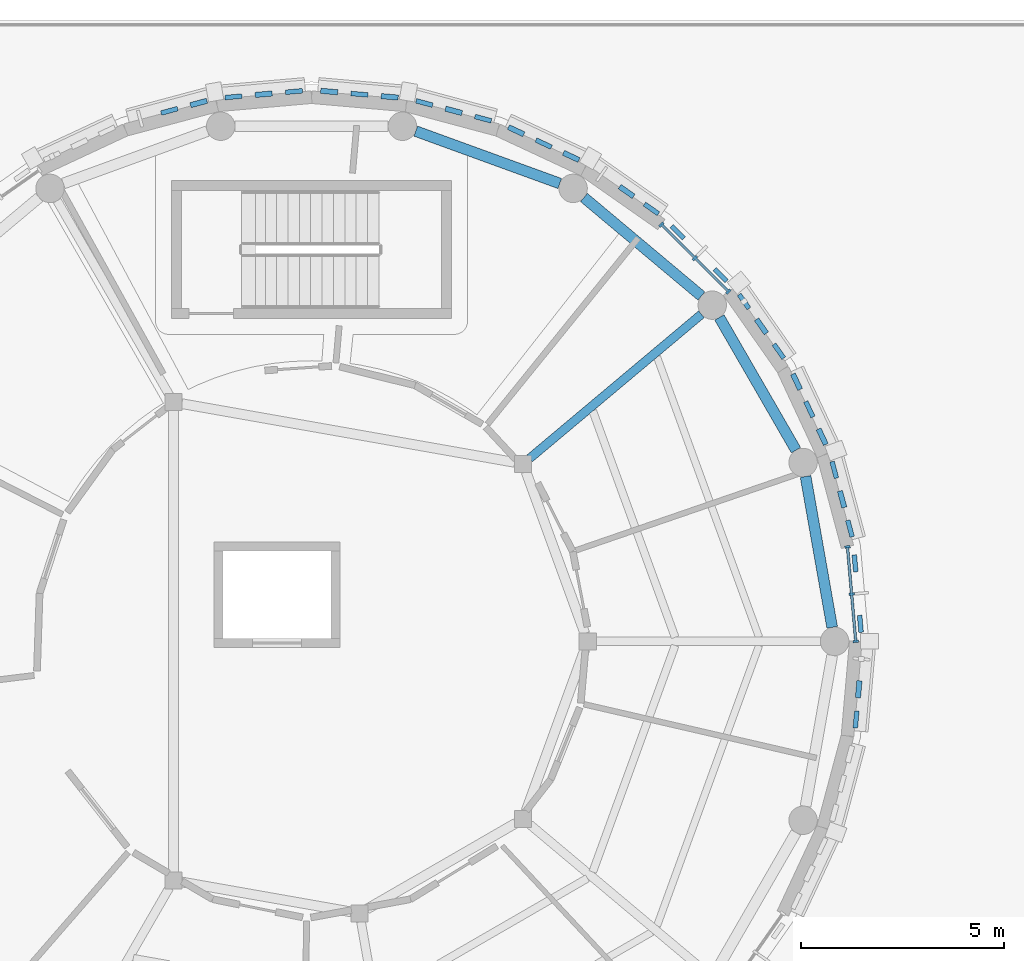
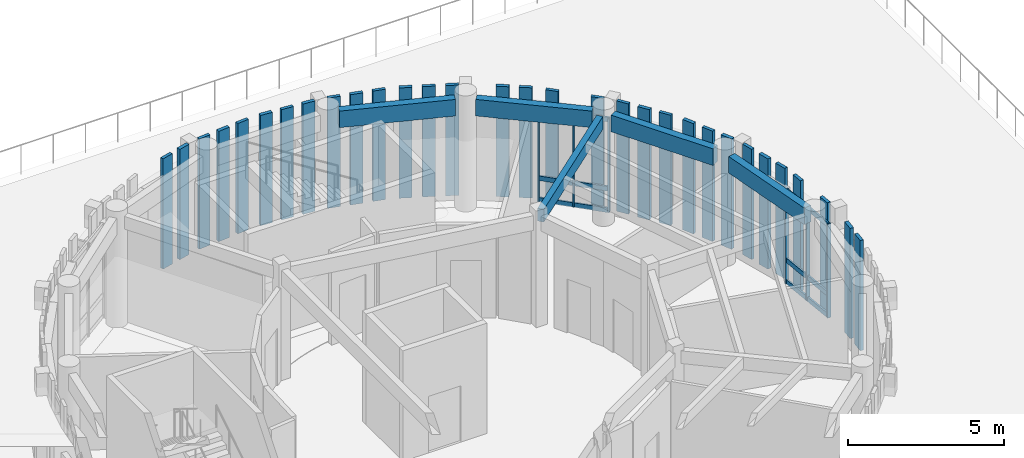
# One storey, part 23 of 94: 43 members, 5 beams, 2 elements without a shape of their own.
"""IFC4 building model written with IfcOpenShell, lengths in metres."""

from ifc_helpers import new_model, si_unit, direction, frame, origin, origin_2d, place, context, subcontext, project, spatial, rectangle, extrude, material, layer, layer_set, material_profile, profile_set, type_object, element, aggregate, save


model = new_model("IFC4")

# Units and contexts
model_context = context("Model", 3, precision=1e-05, world=origin(), true_north=direction((0.0, 1.0)))
body_context = subcontext(model_context, "Body", "Model", "MODEL_VIEW")
ifc_project = project(units=[si_unit("LENGTHUNIT", "METRE"), si_unit("AREAUNIT", "SQUARE_METRE"), si_unit("VOLUMEUNIT", "CUBIC_METRE"), si_unit("PLANEANGLEUNIT", "RADIAN"), si_unit("MASSUNIT", "GRAM", prefix="KILO")], contexts=[model_context])

# Site, building, storey
site_placement = place(None, origin())
site = spatial("IfcSite", under=ifc_project, at=site_placement, CompositionType="ELEMENT")
building_placement = place(site_placement, origin())
building = spatial("IfcBuilding", under=site, at=building_placement, Name="Aldenvaro Health Centre", CompositionType="ELEMENT")
storey_placement = place(building_placement, origin())
storey = spatial("IfcBuildingStorey", under=building, at=storey_placement, Name="L00", CompositionType="ELEMENT", Elevation=0.0)

# Beams
ifc_material_1 = material(Name="Glulam GL28h", Category="wood")
ifc_material_profile_1 = material_profile(ifc_material_1, rectangle(XDim=0.215087890625, YDim=0.493896484375, at=origin_2d()), Name="GL 215x494", Category="wood")
ifc_profile_set_1 = profile_set([ifc_material_profile_1], Name="Glulam GL28h")
beam_type_1 = type_object("IfcBeamType", Name="BM-GL-494", PredefinedType="BEAM", material=ifc_profile_set_1)
beam_1_placement = place(storey_placement, frame((23.8701171875, 104.006103515625, 4.05810546875), z_axis=(0.766107242382, 0.642712761014, 0.0), x_axis=(-0.642712761014, 0.766107242382, 0.0)))
element("IfcBeam", 1, at=beam_1_placement, inside=storey, type_object=beam_type_1, Name="D4 L00 radial beam 02", PredefinedType="BEAM", context=body_context, shape_type="SweptSolid", body=[
    extrude(rectangle(XDim=0.215087890625, YDim=0.493896484375, at=origin_2d()), origin(), (0.0, 0.0, 1.0), 5.52001953125),
])
ifc_material_profile_2 = material_profile(ifc_material_1, rectangle(XDim=0.264892578125, YDim=0.64599609375, at=origin_2d()), Name="GL 265x646", Category="wood")
ifc_profile_set_2 = profile_set([ifc_material_profile_2], Name="Glulam GL28h")
beam_type_2 = type_object("IfcBeamType", Name="BM-GL-646", PredefinedType="SPANDREL", material=ifc_profile_set_2)
beam_2_placement = place(storey_placement, frame((31.319091796875, 99.844970703125, 3.98193359375), z_axis=(-0.173637653927, 0.984809608574, 0.0), x_axis=(-0.984809608574, -0.173637653927, 0.0)))
element("IfcBeam", 2, at=beam_2_placement, inside=storey, type_object=beam_type_2, Name="D4 L00 perimeter spandrel 01", PredefinedType="SPANDREL", context=body_context, shape_type="SweptSolid", body=[
    extrude(rectangle(XDim=0.264892578125, YDim=0.64599609375, at=origin_2d()), origin(), (0.0, 0.0, 1.0), 3.7724609375),
])
beam_3_placement = place(storey_placement, frame((30.427978515625, 104.2080078125, 3.98193359375), z_axis=(-0.499834477554, 0.866120947125, 0.0), x_axis=(-0.866120947125, -0.499834477554, 0.0)))
element("IfcBeam", 3, at=beam_3_placement, inside=storey, type_object=beam_type_2, Name="D4 L00 perimeter spandrel 02", PredefinedType="SPANDREL", context=body_context, shape_type="SweptSolid", body=[
    extrude(rectangle(XDim=0.264892578125, YDim=0.64599609375, at=origin_2d()), origin(), (0.0, 0.0, 1.0), 3.773193359375),
])
beam_4_placement = place(storey_placement, frame((28.09912109375, 108.00390625, 3.98193359375), z_axis=(-0.766159686965, 0.64265024241, 0.0), x_axis=(-0.64265024241, -0.766159686965, 0.0)))
element("IfcBeam", 4, at=beam_4_placement, inside=storey, type_object=beam_type_2, Name="D4 L00 perimeter spandrel 03", PredefinedType="SPANDREL", context=body_context, shape_type="SweptSolid", body=[
    extrude(rectangle(XDim=0.264892578125, YDim=0.64599609375, at=origin_2d()), origin(), (0.0, 0.0, 1.0), 3.7734375),
])
beam_5_placement = place(storey_placement, frame((24.611083984375, 110.77392578125, 3.98193359375), z_axis=(-0.939717821643, 0.341950896602, 0.0), x_axis=(-0.341950896602, -0.939717821643, 0.0)))
element("IfcBeam", 5, at=beam_5_placement, inside=storey, type_object=beam_type_2, Name="D4 L00 perimeter spandrel 04", PredefinedType="SPANDREL", context=body_context, shape_type="SweptSolid", body=[
    extrude(rectangle(XDim=0.264892578125, YDim=0.64599609375, at=origin_2d()), origin(), (0.0, 0.0, 1.0), 3.772705078125),
])

# Curtain wall, members
ifc_material_2 = material(Name="Anodised Aluminium 6063-T6", Category="aluminium")
ifc_layer = layer(ifc_material_2, 0.195068359375, Name="Anodised Aluminium 6063-T6", Category="aluminium")
ifc_layer_set = layer_set([ifc_layer], Name="Anodised Aluminium 6063-T6")
curtain_wall_type = type_object("IfcCurtainWallType", Name="CW-CLN-02", PredefinedType="NOTDEFINED", material=ifc_layer_set)
curtain_wall_1_placement = place(storey_placement, origin())
curtain_wall_1 = element("IfcCurtainWall", 6, at=curtain_wall_1_placement, inside=storey, type_object=curtain_wall_type, Name="D4 L00 curtain wall bay 32", PredefinedType="NOTDEFINED")
ifc_material_profile_3 = material_profile(ifc_material_2, rectangle(XDim=0.06005859375, YDim=0.135009765625, at=origin_2d()), Name="ALU 60x135", Category="aluminium")
ifc_profile_set_3 = profile_set([ifc_material_profile_3], Name="Anodised Aluminium 6063-T6")
member_type_1 = type_object("IfcMemberType", Name="CWM-150", PredefinedType="MULLION", material=ifc_profile_set_3)
member_1_placement = place(storey_placement, frame((27.113037109375, 109.764892578125, 0.0), z_axis=(0.0, 0.0, 1.0), x_axis=(0.707106781187, -0.707106781187, 0.0)))
member_1 = element("IfcMember", 7, at=member_1_placement, type_object=member_type_1, Name="D4 L00 curtain wall bay 32 mullion 1", PredefinedType="MULLION", context=body_context, shape_type="SweptSolid", body=[
    extrude(rectangle(XDim=0.06005859375, YDim=0.135009765625, at=origin_2d()), origin(), (0.0, 0.0, 1.0), 3.658935546875),
])
member_2_placement = place(storey_placement, frame((27.93896484375, 108.93896484375, 0.0), z_axis=(0.0, 0.0, 1.0), x_axis=(0.707106781187, -0.707106781187, 0.0)))
member_2 = element("IfcMember", 8, at=member_2_placement, type_object=member_type_1, Name="D4 L00 curtain wall bay 32 mullion 2", PredefinedType="MULLION", context=body_context, shape_type="SweptSolid", body=[
    extrude(rectangle(XDim=0.06005859375, YDim=0.135009765625, at=origin_2d()), origin(), (0.0, 0.0, 1.0), 3.658935546875),
])
member_3_placement = place(storey_placement, frame((28.764892578125, 108.113037109375, 0.0), z_axis=(0.0, 0.0, 1.0), x_axis=(0.707106781187, -0.707106781187, 0.0)))
member_3 = element("IfcMember", 9, at=member_3_placement, type_object=member_type_1, Name="D4 L00 curtain wall bay 32 mullion 3", PredefinedType="MULLION", context=body_context, shape_type="SweptSolid", body=[
    extrude(rectangle(XDim=0.06005859375, YDim=0.135009765625, at=origin_2d()), origin(), (0.0, 0.0, 1.0), 3.658935546875),
])

curtain_wall_2_placement = place(storey_placement, origin())
curtain_wall_2 = element("IfcCurtainWall", 10, at=curtain_wall_2_placement, inside=storey, type_object=curtain_wall_type, Name="D4 L00 curtain wall bay 36", PredefinedType="NOTDEFINED")
member_4_placement = place(storey_placement, frame((31.696044921875, 101.826904296875, 0.0), z_axis=(0.0, 0.0, 1.0), x_axis=(0.087331575855, -0.996179299052, 0.0)))
member_4 = element("IfcMember", 11, at=member_4_placement, type_object=member_type_1, Name="D4 L00 curtain wall bay 36 mullion 1", PredefinedType="MULLION", context=body_context, shape_type="SweptSolid", body=[
    extrude(rectangle(XDim=0.06005859375, YDim=0.135009765625, at=origin_2d()), origin(), (0.0, 0.0, 1.0), 3.658935546875),
])
member_5_placement = place(storey_placement, frame((31.798095703125, 100.6630859375, 0.0), z_axis=(0.0, 0.0, 1.0), x_axis=(0.087331575855, -0.996179299052, 0.0)))
member_5 = element("IfcMember", 12, at=member_5_placement, type_object=member_type_1, Name="D4 L00 curtain wall bay 36 mullion 2", PredefinedType="MULLION", context=body_context, shape_type="SweptSolid", body=[
    extrude(rectangle(XDim=0.06005859375, YDim=0.135009765625, at=origin_2d()), origin(), (0.0, 0.0, 1.0), 3.658935546875),
])
member_6_placement = place(storey_placement, frame((31.89990234375, 99.5, 0.0), z_axis=(0.0, 0.0, 1.0), x_axis=(0.087331575855, -0.996179299052, 0.0)))
member_6 = element("IfcMember", 13, at=member_6_placement, type_object=member_type_1, Name="D4 L00 curtain wall bay 36 mullion 3", PredefinedType="MULLION", context=body_context, shape_type="SweptSolid", body=[
    extrude(rectangle(XDim=0.06005859375, YDim=0.135009765625, at=origin_2d()), origin(), (0.0, 0.0, 1.0), 3.658935546875),
])

# Member
ifc_material_profile_4 = material_profile(ifc_material_2, rectangle(XDim=0.06494140625, YDim=0.179931640625, at=origin_2d()), Name="ALU 65x180", Category="aluminium")
ifc_profile_set_4 = profile_set([ifc_material_profile_4], Name="Anodised Aluminium 6063-T6")
member_type_2 = type_object("IfcMemberType", Name="CWT-150", PredefinedType="USERDEFINED", material=ifc_profile_set_4)
member_7_placement = place(storey_placement, frame((27.113037109375, 109.764892578125, 0.06005859375), z_axis=(0.707106781187, -0.707106781187, 0.0), x_axis=(0.707106781187, 0.707106781187, 0.0)))
member_7 = element("IfcMember", 14, at=member_7_placement, type_object=member_type_2, Name="D4 L00 curtain wall bay 32 transom 1", ObjectType="TRANSOM", PredefinedType="USERDEFINED", context=body_context, shape_type="SweptSolid", body=[
    extrude(rectangle(XDim=0.06494140625, YDim=0.179931640625, at=origin_2d()), origin(), (0.0, 0.0, 1.0), 2.336181640625),
])

member_8_placement = place(storey_placement, frame((27.113037109375, 109.764892578125, 0.89990234375), z_axis=(0.707106781187, -0.707106781187, 0.0), x_axis=(0.707106781187, 0.707106781187, 0.0)))
member_8 = element("IfcMember", 15, at=member_8_placement, type_object=member_type_2, Name="D4 L00 curtain wall bay 32 transom 2", ObjectType="TRANSOM", PredefinedType="USERDEFINED", context=body_context, shape_type="SweptSolid", body=[
    extrude(rectangle(XDim=0.06494140625, YDim=0.179931640625, at=origin_2d()), origin(), (0.0, 0.0, 1.0), 2.336181640625),
])

member_9_placement = place(storey_placement, frame((27.113037109375, 109.764892578125, 3.59912109375), z_axis=(0.707106781187, -0.707106781187, 0.0), x_axis=(0.707106781187, 0.707106781187, 0.0)))
member_9 = element("IfcMember", 16, at=member_9_placement, type_object=member_type_2, Name="D4 L00 curtain wall bay 32 transom 3", ObjectType="TRANSOM", PredefinedType="USERDEFINED", context=body_context, shape_type="SweptSolid", body=[
    extrude(rectangle(XDim=0.06494140625, YDim=0.179931640625, at=origin_2d()), origin(), (0.0, 0.0, 1.0), 2.336181640625),
])

aggregate(curtain_wall_1, [member_1, member_2, member_3, member_7, member_8, member_9])

member_10_placement = place(storey_placement, frame((31.696044921875, 101.826904296875, 0.06005859375), z_axis=(0.087274565792, -0.996184295282, 0.0), x_axis=(0.996184295282, 0.087274565792, 0.0)))
member_10 = element("IfcMember", 17, at=member_10_placement, type_object=member_type_2, Name="D4 L00 curtain wall bay 36 transom 1", ObjectType="TRANSOM", PredefinedType="USERDEFINED", context=body_context, shape_type="SweptSolid", body=[
    extrude(rectangle(XDim=0.06494140625, YDim=0.179931640625, at=origin_2d()), origin(), (0.0, 0.0, 1.0), 2.3359375),
])

member_11_placement = place(storey_placement, frame((31.696044921875, 101.826904296875, 0.89990234375), z_axis=(0.087274565792, -0.996184295282, 0.0), x_axis=(0.996184295282, 0.087274565792, 0.0)))
member_11 = element("IfcMember", 18, at=member_11_placement, type_object=member_type_2, Name="D4 L00 curtain wall bay 36 transom 2", ObjectType="TRANSOM", PredefinedType="USERDEFINED", context=body_context, shape_type="SweptSolid", body=[
    extrude(rectangle(XDim=0.06494140625, YDim=0.179931640625, at=origin_2d()), origin(), (0.0, 0.0, 1.0), 2.3359375),
])

member_12_placement = place(storey_placement, frame((31.696044921875, 101.826904296875, 3.59912109375), z_axis=(0.087274565792, -0.996184295282, 0.0), x_axis=(0.996184295282, 0.087274565792, 0.0)))
member_12 = element("IfcMember", 19, at=member_12_placement, type_object=member_type_2, Name="D4 L00 curtain wall bay 36 transom 3", ObjectType="TRANSOM", PredefinedType="USERDEFINED", context=body_context, shape_type="SweptSolid", body=[
    extrude(rectangle(XDim=0.06494140625, YDim=0.179931640625, at=origin_2d()), origin(), (0.0, 0.0, 1.0), 2.3359375),
])

aggregate(curtain_wall_2, [member_4, member_5, member_6, member_10, member_11, member_12])

# Members
ifc_material_profile_5 = material_profile(ifc_material_1, rectangle(XDim=0.114990234375, YDim=0.419921875, at=origin_2d()), Name="GL 115x420", Category="wood")
ifc_profile_set_5 = profile_set([ifc_material_profile_5], Name="Glulam GL28h")
member_type_3 = type_object("IfcMemberType", Name="MEM-SLT-420A", PredefinedType="POST", material=ifc_profile_set_5)
for number, where, z_axis, x_axis, name in (
    (20, (31.906982421875, 97.575927734375, 0.0), (0.0, 0.0, 1.0), (0.996179299052, -0.087331575855, 0.0), "D4 L00 vertical timber slat 1.3"),
    (21, (15.0, 112.56298828125, 0.0), (0.0, 0.0, 1.0), (-0.258621935517, 0.965978620089, 0.0), "D4 L00 vertical timber slat 26.2"),
    (22, (16.575927734375, 112.906982421875, 0.0), (0.0, 0.0, 1.0), (-0.087331575855, 0.996179299052, 0.0), "D4 L00 vertical timber slat 27.1"),
    (23, (18.06591796875, 113.0380859375, 0.0), (0.0, 0.0, 1.0), (-0.087331575855, 0.996179299052, 0.0), "D4 L00 vertical timber slat 27.3"),
    (24, (19.678955078125, 112.971923828125, 0.0), (0.0, 0.0, 1.0), (0.087331575855, 0.996179299052, 0.0), "D4 L00 vertical timber slat 28.2"),
    (25, (21.278076171875, 112.756103515625, 0.0), (0.0, 0.0, 1.0), (0.258621935517, 0.965978620089, 0.0), "D4 L00 vertical timber slat 29.1"),
    (26, (22.722900390625, 112.3701171875, 0.0), (0.0, 0.0, 1.0), (0.258621935517, 0.965978620089, 0.0), "D4 L00 vertical timber slat 29.3"),
    (27, (24.215087890625, 111.757080078125, 0.0), (0.0, 0.0, 1.0), (0.422557314215, 0.90633620484, 0.0), "D4 L00 vertical timber slat 30.2"),
    (28, (26.868896484375, 110.14892578125, 0.0), (0.0, 0.0, 1.0), (0.573720929857, 0.819050849853, 0.0), "D4 L00 vertical timber slat 31.3"),
    (29, (27.51611328125, 109.573974609375, 0.0), (0.0, 0.0, 1.0), (0.707106781187, 0.707106781187, 0.0), "D4 L00 curtain mullion timber slat 32"),
    (30, (28.573974609375, 108.51611328125, 0.0), (0.0, 0.0, 1.0), (0.707106781187, 0.707106781187, 0.0), "D4 L00 curtain mullion timber slat 32"),
    (31, (29.14892578125, 107.868896484375, 0.0), (0.0, 0.0, 1.0), (0.819050849853, 0.573720929857, 0.0), "D4 L00 vertical timber slat 33.1"),
    (32, (30.007080078125, 106.64404296875, 0.0), (0.0, 0.0, 1.0), (0.819050849853, 0.573720929857, 0.0), "D4 L00 vertical timber slat 33.3"),
    (33, (30.757080078125, 105.215087890625, 0.0), (0.0, 0.0, 1.0), (0.90633620484, 0.422557314215, 0.0), "D4 L00 vertical timber slat 34.2"),
    (34, (31.3701171875, 103.722900390625, 0.0), (0.0, 0.0, 1.0), (0.965978620089, 0.258621935517, 0.0), "D4 L00 vertical timber slat 35.1"),
    (35, (31.756103515625, 102.278076171875, 0.0), (0.0, 0.0, 1.0), (0.965978620089, 0.258621935517, 0.0), "D4 L00 vertical timber slat 35.3"),
    (36, (31.882080078125, 101.4208984375, 0.0), (0.0, 0.0, 1.0), (0.996179299052, 0.087331575855, 0.0), "D4 L00 curtain mullion timber slat 36"),
    (37, (32.012939453125, 99.931884765625, 0.0), (0.0, 0.0, 1.0), (0.996179299052, 0.087331575855, 0.0), "D4 L00 curtain mullion timber slat 36"),
):
    element("IfcMember", number, at=place(storey_placement, frame(where, z_axis=z_axis, x_axis=x_axis)), inside=storey, type_object=member_type_3, Name=name, PredefinedType="POST", context=body_context, shape_type="SweptSolid", body=[
        extrude(rectangle(XDim=0.114990234375, YDim=0.419921875, at=origin_2d()), origin(), (0.0, 0.0, 1.0), 4.304931640625),
    ])
ifc_material_profile_6 = material_profile(ifc_material_1, rectangle(XDim=0.1298828125, YDim=0.419921875, at=origin_2d()), Name="GL 130x420", Category="wood")
ifc_profile_set_6 = profile_set([ifc_material_profile_6], Name="Glulam GL28h")
member_type_4 = type_object("IfcMemberType", Name="MEM-SLT-420B", PredefinedType="POST", material=ifc_profile_set_6)
for number, where, z_axis, x_axis, name in (
    (38, (31.971923828125, 98.321044921875, 0.0), (0.0, 0.0, 1.0), (0.996179299052, -0.087331575855, 0.0), "D4 L00 vertical timber slat 1.2"),
    (39, (15.721923828125, 112.756103515625, 0.0), (0.0, 0.0, 1.0), (-0.258621935517, 0.965978620089, 0.0), "D4 L00 vertical timber slat 26.3"),
    (40, (17.321044921875, 112.971923828125, 0.0), (0.0, 0.0, 1.0), (-0.087331575855, 0.996179299052, 0.0), "D4 L00 vertical timber slat 27.2"),
    (41, (18.93408203125, 113.0380859375, 0.0), (0.0, 0.0, 1.0), (0.087331575855, 0.996179299052, 0.0), "D4 L00 vertical timber slat 28.1"),
    (42, (20.424072265625, 112.906982421875, 0.0), (0.0, 0.0, 1.0), (0.087331575855, 0.996179299052, 0.0), "D4 L00 vertical timber slat 28.3"),
    (43, (22.0, 112.56298828125, 0.0), (0.0, 0.0, 1.0), (0.258621935517, 0.965978620089, 0.0), "D4 L00 vertical timber slat 29.2"),
    (44, (23.5380859375, 112.072998046875, 0.0), (0.0, 0.0, 1.0), (0.422557314215, 0.90633620484, 0.0), "D4 L00 vertical timber slat 30.1"),
    (45, (24.89306640625, 111.44091796875, 0.0), (0.0, 0.0, 1.0), (0.422557314215, 0.90633620484, 0.0), "D4 L00 vertical timber slat 30.3"),
    (46, (26.257080078125, 110.577880859375, 0.0), (0.0, 0.0, 1.0), (0.573720929857, 0.819050849853, 0.0), "D4 L00 vertical timber slat 31.2"),
    (47, (29.577880859375, 107.257080078125, 0.0), (0.0, 0.0, 1.0), (0.819050849853, 0.573720929857, 0.0), "D4 L00 vertical timber slat 33.2"),
    (48, (30.44091796875, 105.89306640625, 0.0), (0.0, 0.0, 1.0), (0.90633620484, 0.422557314215, 0.0), "D4 L00 vertical timber slat 34.1"),
    (49, (31.072998046875, 104.5380859375, 0.0), (0.0, 0.0, 1.0), (0.90633620484, 0.422557314215, 0.0), "D4 L00 vertical timber slat 34.3"),
    (50, (31.56298828125, 103.0, 0.0), (0.0, 0.0, 1.0), (0.965978620089, 0.258621935517, 0.0), "D4 L00 vertical timber slat 35.2"),
):
    element("IfcMember", number, at=place(storey_placement, frame(where, z_axis=z_axis, x_axis=x_axis)), inside=storey, type_object=member_type_4, Name=name, PredefinedType="POST", context=body_context, shape_type="SweptSolid", body=[
        extrude(rectangle(XDim=0.1298828125, YDim=0.419921875, at=origin_2d()), origin(), (0.0, 0.0, 1.0), 4.304931640625),
    ])

save(model, "model.ifc")
